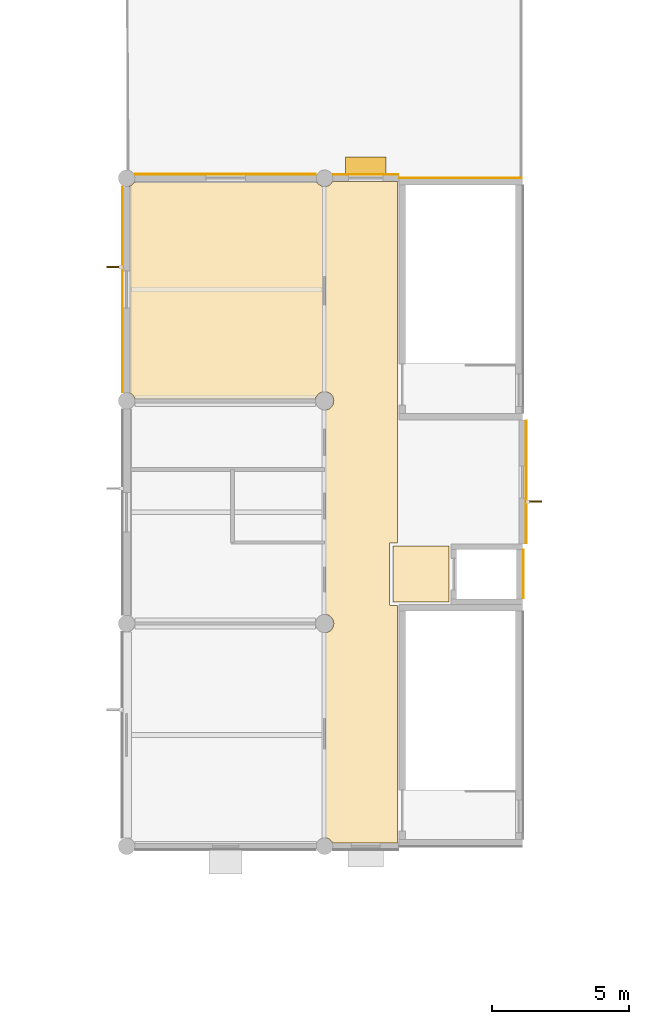
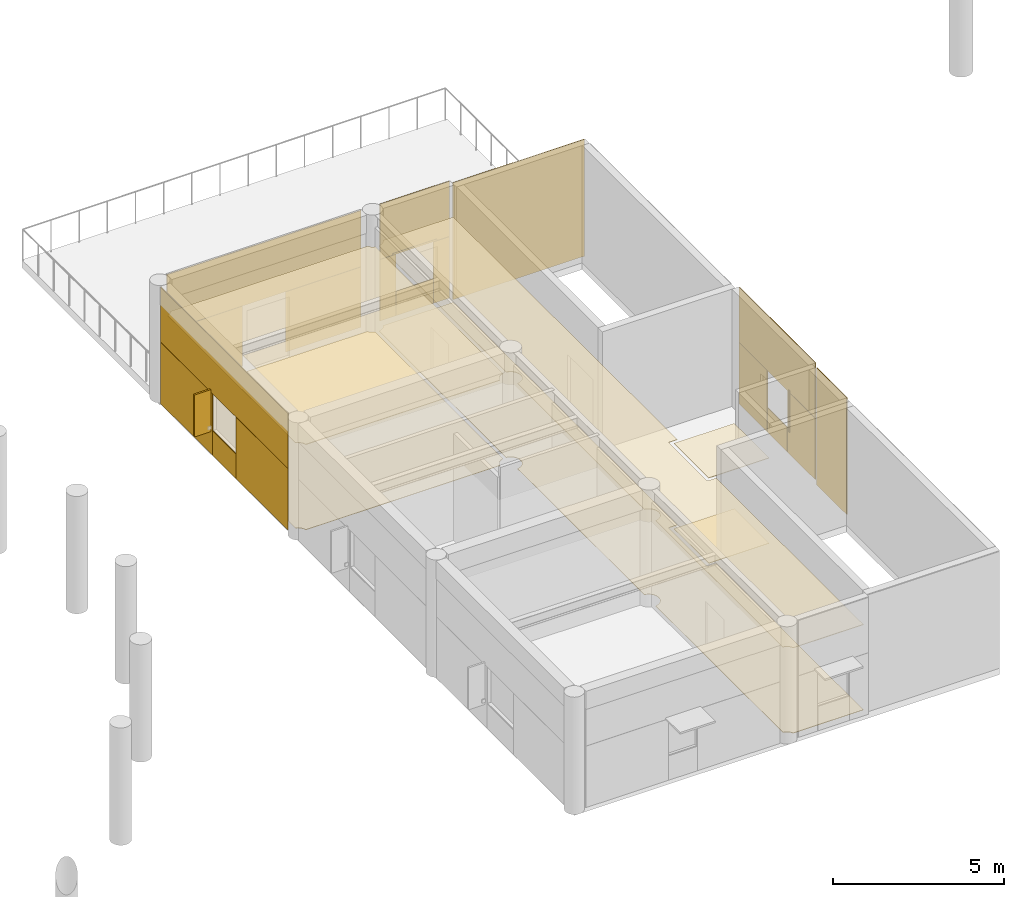
# One storey, part 54 of 55: 23 coverings, 3 shading devices.
"""IFC4 building model written with IfcOpenShell, lengths in metres."""

from ifc_helpers import new_model, si_unit, direction, frame, origin, origin_2d, place, context, subcontext, project, spatial, polyline, rectangle, outline, extrude, material, layer, layer_set, type_object, element, save


model = new_model("IFC4")

# Units and contexts
model_context = context("Model", 3, precision=1e-05, world=origin(), true_north=direction((0.0, 1.0)))
body_context = subcontext(model_context, "Body", "Model", "MODEL_VIEW")
ifc_project = project(units=[si_unit("LENGTHUNIT", "METRE"), si_unit("AREAUNIT", "SQUARE_METRE"), si_unit("VOLUMEUNIT", "CUBIC_METRE"), si_unit("PLANEANGLEUNIT", "RADIAN"), si_unit("MASSUNIT", "GRAM", prefix="KILO")], contexts=[model_context])

# Site, building, storey
site_placement = place(None, origin())
site = spatial("IfcSite", under=ifc_project, at=site_placement, CompositionType="ELEMENT")
building_placement = place(site_placement, origin())
building = spatial("IfcBuilding", under=site, at=building_placement, Name="Namkhue Oval Health Centre", CompositionType="ELEMENT")
storey_placement = place(building_placement, frame((0.0, 0.0, 9.60009765625)))
storey = spatial("IfcBuildingStorey", under=building, at=storey_placement, Name="L02", CompositionType="ELEMENT", Elevation=9.60009765625)

# Coverings
ifc_material_1 = material(Name="Acoustic mineral-fibre cleanroom ceiling", Category="gypsum")
ifc_layer_1 = layer(ifc_material_1, 0.02001953125)
ifc_layer_set_1 = layer_set([ifc_layer_1], Name="Acoustic mineral-fibre cleanroom ceiling")
covering_type_1 = type_object("IfcCoveringType", Name="ACOUSTIC CLEANROOM CEILING 20", PredefinedType="CEILING", material=ifc_layer_set_1)
covering_1_placement = place(storey_placement, frame((0.0, 0.0, 3.0498046875)))
element("IfcCovering", 1, at=covering_1_placement, inside=storey, type_object=covering_type_1, Name="Acoustic Ceiling L02-LL7 Lift Lobby LF-07", PredefinedType="CEILING", context=body_context, shape_type="SweptSolid", body=[
    extrude(outline(polyline([(146.47998046875, 52.080078125), (146.47998046875, 54.1201171875), (148.52001953125, 54.1201171875), (148.52001953125, 52.080078125), (146.47998046875, 52.080078125)])), origin(), (0.0, 0.0, 1.0), 0.02001953125),
])
covering_2_placement = place(storey_placement, frame((0.0, 0.0, 3.0498046875)))
element("IfcCovering", 2, at=covering_2_placement, inside=storey, type_object=covering_type_1, Name="Acoustic Ceiling L02-V6-C1 V6 Clinical Corridor", PredefinedType="CEILING", context=body_context, shape_type="SweptSolid", body=[
    extrude(outline(polyline([(144.0400390625, 50.97021484375), (144.086669921875, 50.976318359375), (144.16748046875, 51.010009765625), (144.23681640625, 51.06298828125), (144.2900390625, 51.132568359375), (144.323486328125, 51.21337890625), (144.3349609375, 51.300048828125), (144.323486328125, 51.38671875), (144.2900390625, 51.467529296875), (144.23681640625, 51.536865234375), (144.16748046875, 51.590087890625), (144.086669921875, 51.62353515625), (144.0400390625, 51.629638671875), (144.0400390625, 59.0703125), (144.086669921875, 59.076416015625), (144.16748046875, 59.10986328125), (144.23681640625, 59.1630859375), (144.2900390625, 59.232421875), (144.323486328125, 59.313232421875), (144.3349609375, 59.39990234375), (144.323486328125, 59.48681640625), (144.2900390625, 59.5673828125), (144.23681640625, 59.636962890625), (144.16748046875, 59.690185546875), (144.086669921875, 59.7236328125), (144.0400390625, 59.729736328125), (144.0400390625, 67.1953125), (144.080078125, 67.20068359375), (144.155029296875, 67.2314453125), (144.21923828125, 67.28076171875), (144.2685546875, 67.344970703125), (144.281005859375, 67.375), (146.659912109375, 67.375), (146.659912109375, 54.239990234375), (146.39599609375, 54.23974609375), (146.384765625, 54.237060546875), (146.37158203125, 54.228271484375), (146.363037109375, 54.21533203125), (146.360107421875, 54.199951171875), (146.360107421875, 51.99609375), (146.363037109375, 51.984619140625), (146.37158203125, 51.9716796875), (146.384765625, 51.962890625), (146.39599609375, 51.960205078125), (146.659912109375, 51.9599609375), (146.659912109375, 43.324951171875), (144.281005859375, 43.324951171875), (144.2685546875, 43.35498046875), (144.21923828125, 43.419189453125), (144.155029296875, 43.468505859375), (144.080078125, 43.49951171875), (144.0400390625, 43.504638671875), (144.0400390625, 50.97021484375)])), origin(), (0.0, 0.0, 1.0), 0.02001953125),
])
covering_3_placement = place(storey_placement, frame((0.0, 0.0, 3.0498046875)))
element("IfcCovering", 3, at=covering_3_placement, inside=storey, type_object=covering_type_1, Name="Acoustic Ceiling L02-605 Prosthetics Orthotics Fitting Room", PredefinedType="CEILING", context=body_context, shape_type="SweptSolid", body=[
    extrude(outline(polyline([(137.100830078125, 59.469970703125), (137.099365234375, 59.480224609375), (137.068603515625, 59.554931640625), (137.019287109375, 59.619140625), (136.955078125, 59.66845703125), (136.885009765625, 59.697509765625), (136.885009765625, 67.202392578125), (136.955078125, 67.2314453125), (137.019287109375, 67.28076171875), (137.068603515625, 67.344970703125), (143.7314453125, 67.344970703125), (143.78076171875, 67.28076171875), (143.844970703125, 67.2314453125), (143.919921875, 67.200439453125), (143.919921875, 59.724609375), (143.83251953125, 59.690185546875), (143.76318359375, 59.636962890625), (143.7099609375, 59.5673828125), (143.676513671875, 59.48681640625), (143.67431640625, 59.469970703125), (137.100830078125, 59.469970703125)])), origin(), (0.0, 0.0, 1.0), 0.02001953125),
])
ifc_material_2 = material(Name="Homogeneous anti-bacterial clinical vinyl flooring", Category="plastic")
ifc_layer_2 = layer(ifc_material_2, 0.014892578125)
ifc_layer_set_2 = layer_set([ifc_layer_2], Name="Homogeneous anti-bacterial clinical vinyl flooring")
covering_type_2 = type_object("IfcCoveringType", Name="CLINICAL ANTIBACTERIAL VINYL FLOORING 15", PredefinedType="FLOORING", material=ifc_layer_set_2)
covering_4_placement = place(storey_placement, origin())
element("IfcCovering", 4, at=covering_4_placement, inside=storey, type_object=covering_type_2, Name="Clinical Flooring L02-LL7 Lift Lobby LF-07", PredefinedType="FLOORING", context=body_context, shape_type="SweptSolid", body=[
    extrude(outline(polyline([(146.47998046875, 52.080078125), (146.47998046875, 54.1201171875), (148.52001953125, 54.1201171875), (148.52001953125, 52.080078125), (146.47998046875, 52.080078125)])), origin(), (0.0, 0.0, 1.0), 0.014892578125),
])
covering_5_placement = place(storey_placement, origin())
element("IfcCovering", 5, at=covering_5_placement, inside=storey, type_object=covering_type_2, Name="Clinical Flooring L02-V6-C1 V6 Clinical Corridor", PredefinedType="FLOORING", context=body_context, shape_type="SweptSolid", body=[
    extrude(outline(polyline([(144.0400390625, 50.97021484375), (144.086669921875, 50.976318359375), (144.16748046875, 51.010009765625), (144.23681640625, 51.06298828125), (144.2900390625, 51.132568359375), (144.323486328125, 51.21337890625), (144.3349609375, 51.300048828125), (144.323486328125, 51.38671875), (144.2900390625, 51.467529296875), (144.23681640625, 51.536865234375), (144.16748046875, 51.590087890625), (144.086669921875, 51.62353515625), (144.0400390625, 51.629638671875), (144.0400390625, 59.0703125), (144.086669921875, 59.076416015625), (144.16748046875, 59.10986328125), (144.23681640625, 59.1630859375), (144.2900390625, 59.232421875), (144.323486328125, 59.313232421875), (144.3349609375, 59.39990234375), (144.323486328125, 59.48681640625), (144.2900390625, 59.5673828125), (144.23681640625, 59.636962890625), (144.16748046875, 59.690185546875), (144.086669921875, 59.7236328125), (144.0400390625, 59.729736328125), (144.0400390625, 67.1953125), (144.080078125, 67.20068359375), (144.155029296875, 67.2314453125), (144.21923828125, 67.28076171875), (144.2685546875, 67.344970703125), (144.281005859375, 67.375), (146.659912109375, 67.375), (146.659912109375, 54.239990234375), (146.39599609375, 54.23974609375), (146.384765625, 54.237060546875), (146.37158203125, 54.228271484375), (146.363037109375, 54.21533203125), (146.360107421875, 54.199951171875), (146.360107421875, 51.99609375), (146.363037109375, 51.984619140625), (146.37158203125, 51.9716796875), (146.384765625, 51.962890625), (146.39599609375, 51.960205078125), (146.659912109375, 51.9599609375), (146.659912109375, 43.324951171875), (144.281005859375, 43.324951171875), (144.2685546875, 43.35498046875), (144.21923828125, 43.419189453125), (144.155029296875, 43.468505859375), (144.080078125, 43.49951171875), (144.0400390625, 43.504638671875), (144.0400390625, 50.97021484375)])), origin(), (0.0, 0.0, 1.0), 0.014892578125),
])
covering_6_placement = place(storey_placement, origin())
element("IfcCovering", 6, at=covering_6_placement, inside=storey, type_object=covering_type_2, Name="Clinical Flooring L02-605 Prosthetics Orthotics Fitting Room", PredefinedType="FLOORING", context=body_context, shape_type="SweptSolid", body=[
    extrude(outline(polyline([(137.100830078125, 59.469970703125), (137.099365234375, 59.480224609375), (137.068603515625, 59.554931640625), (137.019287109375, 59.619140625), (136.955078125, 59.66845703125), (136.885009765625, 59.697509765625), (136.885009765625, 67.202392578125), (136.955078125, 67.2314453125), (137.019287109375, 67.28076171875), (137.068603515625, 67.344970703125), (143.7314453125, 67.344970703125), (143.78076171875, 67.28076171875), (143.844970703125, 67.2314453125), (143.919921875, 67.200439453125), (143.919921875, 59.724609375), (143.83251953125, 59.690185546875), (143.76318359375, 59.636962890625), (143.7099609375, 59.5673828125), (143.676513671875, 59.48681640625), (143.67431640625, 59.469970703125), (137.100830078125, 59.469970703125)])), origin(), (0.0, 0.0, 1.0), 0.014892578125),
])

# Shading devices
ifc_material_3 = material(Name="Anodised aluminium EN AW-6063 T6", Category="aluminium")
ifc_layer_3 = layer(ifc_material_3, 0.050048828125)
ifc_layer_set_3 = layer_set([ifc_layer_3], Name="Anodised aluminium EN AW-6063 T6")
shading_device_type_1 = type_object("IfcShadingDeviceType", Name="STORM SHUTTER LOUVRE 650", PredefinedType="SHUTTER", material=ifc_layer_set_3)
shading_device_placement = place(storey_placement, frame((145.49658203125, 67.93994140625, 2.219970703125), z_axis=(0.0, 0.0, 1.0), x_axis=(-1.0, 0.0, 0.0)))
element("IfcShadingDevice", 7, at=shading_device_placement, inside=storey, type_object=shading_device_type_1, Name="Volume V6 L02 Window Monsoon Louvre 315", PredefinedType="SHUTTER", context=body_context, shape_type="SweptSolid", body=[
    extrude(rectangle(XDim=1.489990234375, YDim=0.64990234375, at=origin_2d()), origin(), (0.0, 0.0, 1.0), 0.06005859375),
])
shading_device_type_2 = type_object("IfcShadingDeviceType", Name="VERTICAL SOLAR FIN 600", PredefinedType="USERDEFINED", material=ifc_material_3)
for number, where, z_axis, x_axis, name in (
    (8, (151.60009765625, 55.735107421875, 0.7998046875), (0.0, 0.0, 1.0), (1.0, 0.0, 0.0), "Volume V6 L02 Window Solar Fin 314"),
    (9, (136.385009765625, 64.264892578125, 0.7998046875), (0.0, 0.0, 1.0), (-1.0, 0.0, 0.0), "Volume V6 L02 Window Solar Fin 316"),
):
    element("IfcShadingDevice", number, at=place(storey_placement, frame(where, z_axis=z_axis, x_axis=x_axis)), inside=storey, type_object=shading_device_type_2, Name=name, ObjectType="SOLAR FIN", PredefinedType="USERDEFINED", context=body_context, shape_type="SweptSolid", body=[
        extrude(rectangle(XDim=0.60009765625, YDim=0.06005859375, at=origin_2d()), origin(), (0.0, 0.0, 1.0), 1.5),
    ])

# Coverings
ifc_material_4 = material(Name="White glass-fibre reinforced concrete GRC rainscreen cladding", Category="concrete")
ifc_layer_4 = layer(ifc_material_4, 0.02490234375)
ifc_layer_set_4 = layer_set([ifc_layer_4], Name="White glass-fibre reinforced concrete GRC rainscreen cladding")
covering_type_3 = type_object("IfcCoveringType", Name="WHITE GRC RAINSCREEN CLADDING 25", PredefinedType="CLADDING", material=ifc_layer_set_4)
covering_7_placement = place(storey_placement, frame((151.33203125, 56.449951171875, 2.21484375), z_axis=(0.0, 0.0, 1.0), x_axis=(0.0, 1.0, 0.0)))
element("IfcCovering", 10, at=covering_7_placement, inside=storey, type_object=covering_type_3, Name="Volume V6 L02 Facade 183 White GRC Cladding 1", PredefinedType="CLADDING", context=body_context, shape_type="SweptSolid", body=[
    extrude(rectangle(XDim=4.4560546875, YDim=0.02490234375, at=origin_2d()), origin(), (0.0, 0.0, 1.0), 1.97509765625),
])
covering_8_placement = place(storey_placement, frame((151.33203125, 55.041015625, 0.009765625), z_axis=(0.0, 0.0, 1.0), x_axis=(0.0, 1.0, 0.0)))
element("IfcCovering", 11, at=covering_8_placement, inside=storey, type_object=covering_type_3, Name="Volume V6 L02 Facade 183 White GRC Cladding 2", PredefinedType="CLADDING", context=body_context, shape_type="SweptSolid", body=[
    extrude(rectangle(XDim=1.637939453125, YDim=0.02490234375, at=origin_2d()), origin(), (0.0, 0.0, 1.0), 2.199951171875),
])
covering_9_placement = place(storey_placement, frame((151.33203125, 56.449951171875, 0.010009765625), z_axis=(0.0, 0.0, 1.0), x_axis=(0.0, 1.0, 0.0)))
element("IfcCovering", 12, at=covering_9_placement, inside=storey, type_object=covering_type_3, Name="Volume V6 L02 Facade 183 White GRC Cladding 3", PredefinedType="CLADDING", context=body_context, shape_type="SweptSolid", body=[
    extrude(rectangle(XDim=1.169921875, YDim=0.02490234375, at=origin_2d()), origin(), (0.0, 0.0, 1.0), 0.875),
])
covering_10_placement = place(storey_placement, frame((151.33203125, 57.85888671875, 0.009765625), z_axis=(0.0, 0.0, 1.0), x_axis=(0.0, 1.0, 0.0)))
element("IfcCovering", 13, at=covering_10_placement, inside=storey, type_object=covering_type_3, Name="Volume V6 L02 Facade 183 White GRC Cladding 4", PredefinedType="CLADDING", context=body_context, shape_type="SweptSolid", body=[
    extrude(rectangle(XDim=1.637939453125, YDim=0.02490234375, at=origin_2d()), origin(), (0.0, 0.0, 1.0), 2.199951171875),
])
covering_11_placement = place(storey_placement, frame((145.49658203125, 67.636962890625, 2.21484375), z_axis=(0.0, 0.0, 1.0), x_axis=(-1.0, 0.0, 0.0)))
element("IfcCovering", 14, at=covering_11_placement, inside=storey, type_object=covering_type_3, Name="Volume V6 L02 Facade 184 White GRC Cladding 1", PredefinedType="CLADDING", context=body_context, shape_type="SweptSolid", body=[
    extrude(rectangle(XDim=2.363037109375, YDim=0.02490234375, at=origin_2d()), origin(), (0.0, 0.0, 1.0), 1.97509765625),
])
covering_12_placement = place(storey_placement, frame((146.4072265625, 67.636962890625, 0.009765625), z_axis=(0.0, 0.0, 1.0), x_axis=(-1.0, 0.0, 0.0)))
element("IfcCovering", 15, at=covering_12_placement, inside=storey, type_object=covering_type_3, Name="Volume V6 L02 Facade 184 White GRC Cladding 2", PredefinedType="CLADDING", context=body_context, shape_type="SweptSolid", body=[
    extrude(rectangle(XDim=0.54150390625, YDim=0.02490234375, at=origin_2d()), origin(), (0.0, 0.0, 1.0), 2.199951171875),
])
covering_13_placement = place(storey_placement, frame((145.49658203125, 67.636962890625, 0.010009765625), z_axis=(0.0, 0.0, 1.0), x_axis=(-1.0, 0.0, 0.0)))
element("IfcCovering", 16, at=covering_13_placement, inside=storey, type_object=covering_type_3, Name="Volume V6 L02 Facade 184 White GRC Cladding 3", PredefinedType="CLADDING", context=body_context, shape_type="SweptSolid", body=[
    extrude(rectangle(XDim=1.27001953125, YDim=0.02490234375, at=origin_2d()), origin(), (0.0, 0.0, 1.0), 0.875),
])
covering_14_placement = place(storey_placement, frame((144.585693359375, 67.636962890625, 0.009765625), z_axis=(0.0, 0.0, 1.0), x_axis=(-1.0, 0.0, 0.0)))
element("IfcCovering", 17, at=covering_14_placement, inside=storey, type_object=covering_type_3, Name="Volume V6 L02 Facade 184 White GRC Cladding 4", PredefinedType="CLADDING", context=body_context, shape_type="SweptSolid", body=[
    extrude(rectangle(XDim=0.54150390625, YDim=0.02490234375, at=origin_2d()), origin(), (0.0, 0.0, 1.0), 2.199951171875),
])
covering_15_placement = place(storey_placement, frame((140.39990234375, 67.64208984375, 2.1748046875), z_axis=(0.0, 0.0, 1.0), x_axis=(-1.0, 0.0, 0.0)))
element("IfcCovering", 18, at=covering_15_placement, inside=storey, type_object=covering_type_3, Name="Volume V6 L02 Facade 185 White GRC Cladding 1", PredefinedType="CLADDING", context=body_context, shape_type="SweptSolid", body=[
    extrude(rectangle(XDim=6.570068359375, YDim=0.02490234375, at=origin_2d()), origin(), (0.0, 0.0, 1.0), 2.014892578125),
])
for number, where, z_axis, x_axis, name in (
    (19, (142.409912109375, 67.64208984375, 0.009765625), (0.0, 0.0, 1.0), (-1.0, 0.0, 0.0), "Volume V6 L02 Facade 185 White GRC Cladding 2"),
    (20, (138.389892578125, 67.64208984375, 0.009765625), (0.0, 0.0, 1.0), (-1.0, 0.0, 0.0), "Volume V6 L02 Facade 185 White GRC Cladding 3"),
):
    element("IfcCovering", number, at=place(storey_placement, frame(where, z_axis=z_axis, x_axis=x_axis)), inside=storey, type_object=covering_type_3, Name=name, PredefinedType="CLADDING", context=body_context, shape_type="SweptSolid", body=[
        extrude(rectangle(XDim=2.550048828125, YDim=0.02490234375, at=origin_2d()), origin(), (0.0, 0.0, 1.0), 2.159912109375),
    ])
covering_16_placement = place(storey_placement, frame((136.653076171875, 63.449951171875, 2.21484375), z_axis=(0.0, 0.0, 1.0), x_axis=(0.0, -1.0, 0.0)))
element("IfcCovering", 21, at=covering_16_placement, inside=storey, type_object=covering_type_3, Name="Volume V6 L02 Facade 186 White GRC Cladding 1", PredefinedType="CLADDING", context=body_context, shape_type="SweptSolid", body=[
    extrude(rectangle(XDim=7.469970703125, YDim=0.02490234375, at=origin_2d()), origin(), (0.0, 0.0, 1.0), 1.97509765625),
])
covering_17_placement = place(storey_placement, frame((136.653076171875, 65.66259765625, 0.009765625), z_axis=(0.0, 0.0, 1.0), x_axis=(0.0, -1.0, 0.0)))
element("IfcCovering", 22, at=covering_17_placement, inside=storey, type_object=covering_type_3, Name="Volume V6 L02 Facade 186 White GRC Cladding 2", PredefinedType="CLADDING", context=body_context, shape_type="SweptSolid", body=[
    extrude(rectangle(XDim=3.044921875, YDim=0.02490234375, at=origin_2d()), origin(), (0.0, 0.0, 1.0), 2.199951171875),
])
covering_18_placement = place(storey_placement, frame((136.653076171875, 63.449951171875, 0.010009765625), z_axis=(0.0, 0.0, 1.0), x_axis=(0.0, -1.0, 0.0)))
element("IfcCovering", 23, at=covering_18_placement, inside=storey, type_object=covering_type_3, Name="Volume V6 L02 Facade 186 White GRC Cladding 3", PredefinedType="CLADDING", context=body_context, shape_type="SweptSolid", body=[
    extrude(rectangle(XDim=1.3701171875, YDim=0.02490234375, at=origin_2d()), origin(), (0.0, 0.0, 1.0), 0.875),
])
covering_19_placement = place(storey_placement, frame((136.653076171875, 61.237548828125, 0.009765625), z_axis=(0.0, 0.0, 1.0), x_axis=(0.0, -1.0, 0.0)))
element("IfcCovering", 24, at=covering_19_placement, inside=storey, type_object=covering_type_3, Name="Volume V6 L02 Facade 186 White GRC Cladding 4", PredefinedType="CLADDING", context=body_context, shape_type="SweptSolid", body=[
    extrude(rectangle(XDim=3.044921875, YDim=0.02490234375, at=origin_2d()), origin(), (0.0, 0.0, 1.0), 2.199951171875),
])
covering_20_placement = place(storey_placement, frame((148.949951171875, 67.511962890625, 0.009765625), z_axis=(0.0, 0.0, 1.0), x_axis=(-1.0, 0.0, 0.0)))
element("IfcCovering", 25, at=covering_20_placement, inside=storey, type_object=covering_type_3, Name="Core SC-12 L02 Core N White GRC Cladding 1", PredefinedType="CLADDING", context=body_context, shape_type="SweptSolid", body=[
    extrude(rectangle(XDim=4.4599609375, YDim=0.02490234375, at=origin_2d()), origin(), (0.0, 0.0, 1.0), 4.179931640625),
])
covering_21_placement = place(storey_placement, frame((151.237060546875, 53.10009765625, 0.009765625), z_axis=(0.0, 0.0, 1.0), x_axis=(0.0, 1.0, 0.0)))
element("IfcCovering", 26, at=covering_21_placement, inside=storey, type_object=covering_type_3, Name="Lift LF-07 L02 E White GRC Cladding 1", PredefinedType="CLADDING", context=body_context, shape_type="SweptSolid", body=[
    extrude(rectangle(XDim=1.760009765625, YDim=0.02490234375, at=origin_2d()), origin(), (0.0, 0.0, 1.0), 4.179931640625),
])

save(model, "model.ifc")
